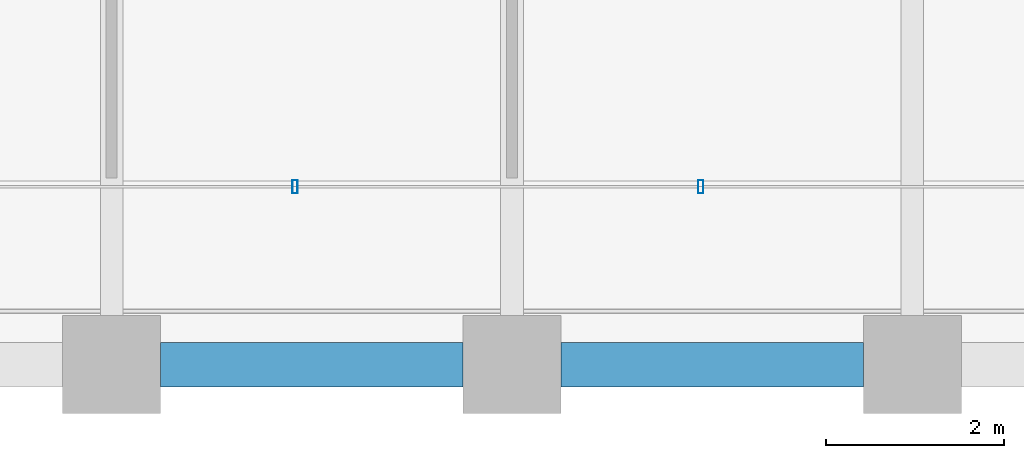
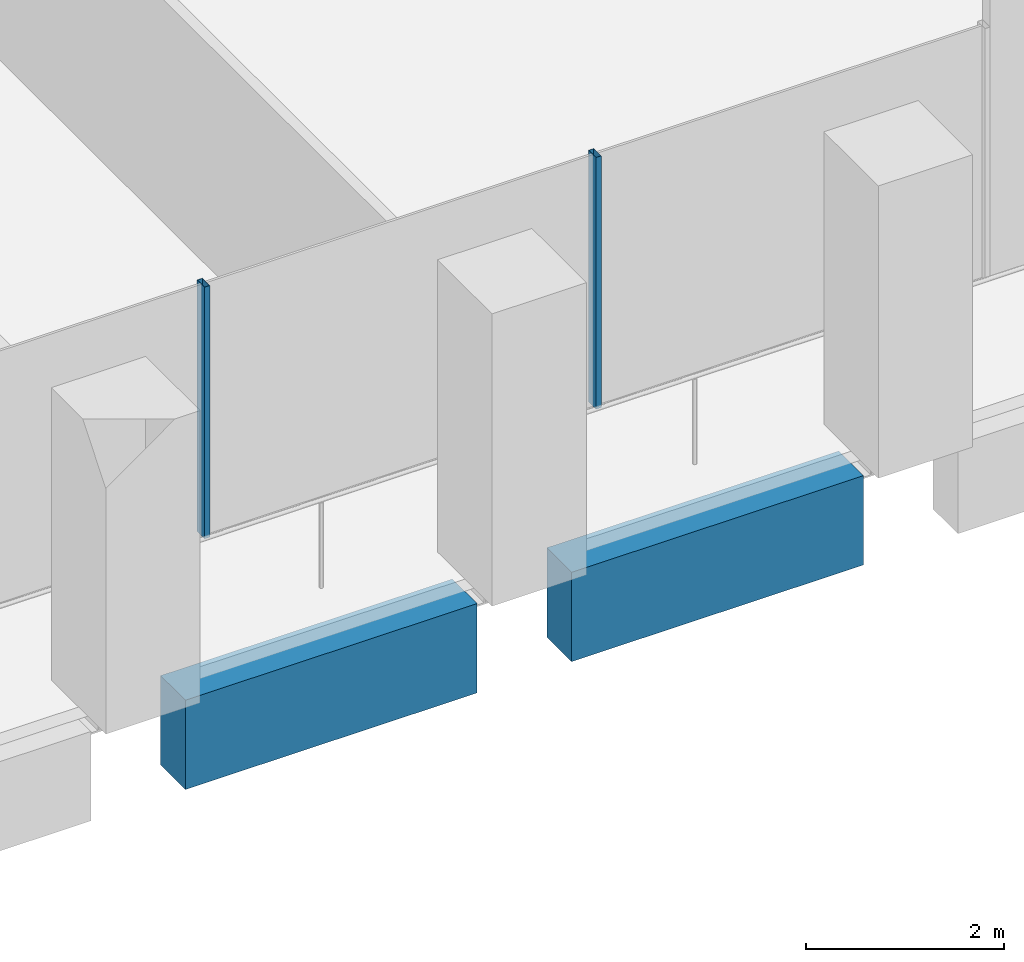
# One storey, part 3 of 54: 2 beams, 2 members, 1 element without a shape of its own.
"""IFC4 building model written with IfcOpenShell, lengths in metres."""

from ifc_helpers import new_model, si_unit, direction, frame, origin, origin_2d, place, context, subcontext, project, spatial, rectangle, hollow_rectangle, extrude, material, material_profile, profile_set, type_object, element, aggregate, save


model = new_model("IFC4")

# Units and contexts
model_context = context("Model", 3, precision=1e-05, world=origin(), true_north=direction((0.0, 1.0)))
body_context = subcontext(model_context, "Body", "Model", "MODEL_VIEW")
ifc_project = project(units=[si_unit("LENGTHUNIT", "METRE"), si_unit("AREAUNIT", "SQUARE_METRE"), si_unit("VOLUMEUNIT", "CUBIC_METRE"), si_unit("PLANEANGLEUNIT", "RADIAN"), si_unit("MASSUNIT", "GRAM", prefix="KILO")], contexts=[model_context])

# Site, building, storey
site_placement = place(None, origin())
site = spatial("IfcSite", under=ifc_project, at=site_placement, CompositionType="ELEMENT")
building_placement = place(site_placement, origin())
building = spatial("IfcBuilding", under=site, at=building_placement, Name="Altepetl Exchange Towers", CompositionType="ELEMENT")
storey_placement = place(building_placement, frame((0.0, 0.0, 61.800048828125)))
storey = spatial("IfcBuildingStorey", under=building, at=storey_placement, Name="L14", CompositionType="ELEMENT", Elevation=61.800048828125)

# Curtain wall, members
ifc_material_1 = material(Name="Aluminium 6063-T6 glazing", Category="aluminium")
curtain_wall_type = type_object("IfcCurtainWallType", Name="Loggia glazing system", PredefinedType="NOTDEFINED", material=ifc_material_1)
curtain_wall_placement = place(storey_placement, origin())
curtain_wall = element("IfcCurtainWall", 1, at=curtain_wall_placement, inside=storey, type_object=curtain_wall_type, Name="CW1 run", PredefinedType="NOTDEFINED")
ifc_material_2 = material(Name="Aluminium 6063-T6", Category="aluminium")
ifc_material_profile_1 = material_profile(ifc_material_2, hollow_rectangle(XDim=0.06005859375, YDim=0.14990234375, WallThickness=0.0029296875, at=origin_2d()), Name="Mullion 60x150 aluminium")
ifc_profile_set_1 = profile_set([ifc_material_profile_1], Name="Aluminium 6063-T6")
member_type = type_object("IfcMemberType", Name="Mullion 60x150 aluminium", PredefinedType="MULLION", material=ifc_profile_set_1)
member_1_placement = place(storey_placement, frame((38.060791015625, 29.0, 0.0)))
member_1 = element("IfcMember", 2, at=member_1_placement, type_object=member_type, Name="MU1 mullion", PredefinedType="MULLION", context=body_context, shape_type="SweptSolid", body=[
    extrude(hollow_rectangle(XDim=0.06005859375, YDim=0.14990234375, WallThickness=0.0029296875, at=origin_2d()), origin(), (0.0, 0.0, 1.0), 3.099853515625),
])
member_2_placement = place(storey_placement, frame((42.621337890625, 29.0, 0.0)))
member_2 = element("IfcMember", 3, at=member_2_placement, type_object=member_type, Name="MU1 mullion", PredefinedType="MULLION", context=body_context, shape_type="SweptSolid", body=[
    extrude(hollow_rectangle(XDim=0.06005859375, YDim=0.14990234375, WallThickness=0.0029296875, at=origin_2d()), origin(), (0.0, 0.0, 1.0), 3.099853515625),
])
aggregate(curtain_wall, [member_1, member_2])

# Beams
ifc_material_3 = material(Name="Concrete C50/60 precast with cantera blanca facing", Category="concrete")
ifc_material_profile_2 = material_profile(ifc_material_3, rectangle(XDim=0.5, YDim=1.10009765625, at=origin_2d()), Name="500 x 1100")
ifc_profile_set_2 = profile_set([ifc_material_profile_2], Name="Concrete C50/60 precast with cantera blanca facing")
beam_type = type_object("IfcBeamType", Name="Spandrel beam 500x1100 cantera blanca", PredefinedType="SPANDREL", material=ifc_profile_set_2)
for number, where, z_axis, x_axis, name in (
    (4, (36.550048828125, 27.0, -0.699951171875), (1.0, 0.0, 0.0), (0.0, 1.0, 0.0), "sp:A:L14:001"),
    (5, (41.050048828125, 27.0, -0.699951171875), (1.0, 0.0, 0.0), (0.0, 1.0, 0.0), "sp:A:L14:002"),
):
    element("IfcBeam", number, at=place(storey_placement, frame(where, z_axis=z_axis, x_axis=x_axis)), inside=storey, type_object=beam_type, Name=name, PredefinedType="SPANDREL", context=body_context, shape_type="SweptSolid", body=[
        extrude(rectangle(XDim=0.5, YDim=1.10009765625, at=origin_2d()), origin(), (0.0, 0.0, 1.0), 3.39990234375),
    ])

save(model, "model.ifc")
